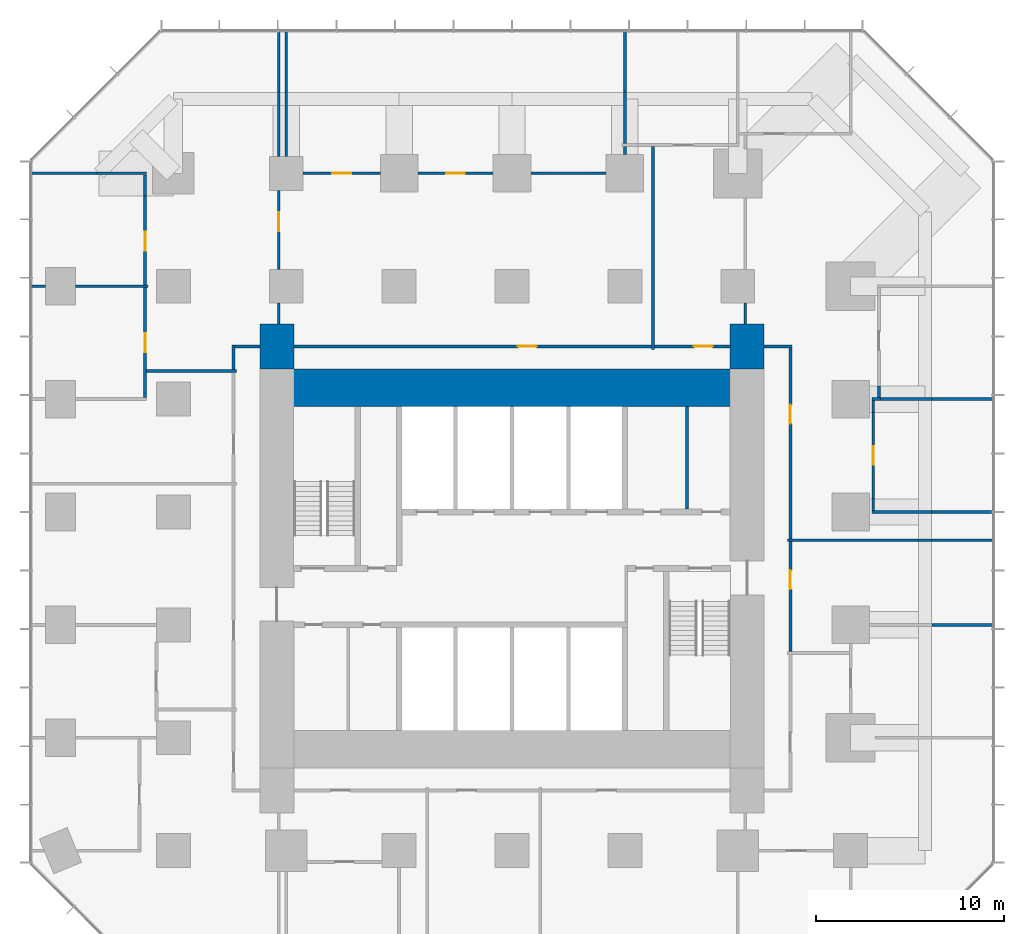
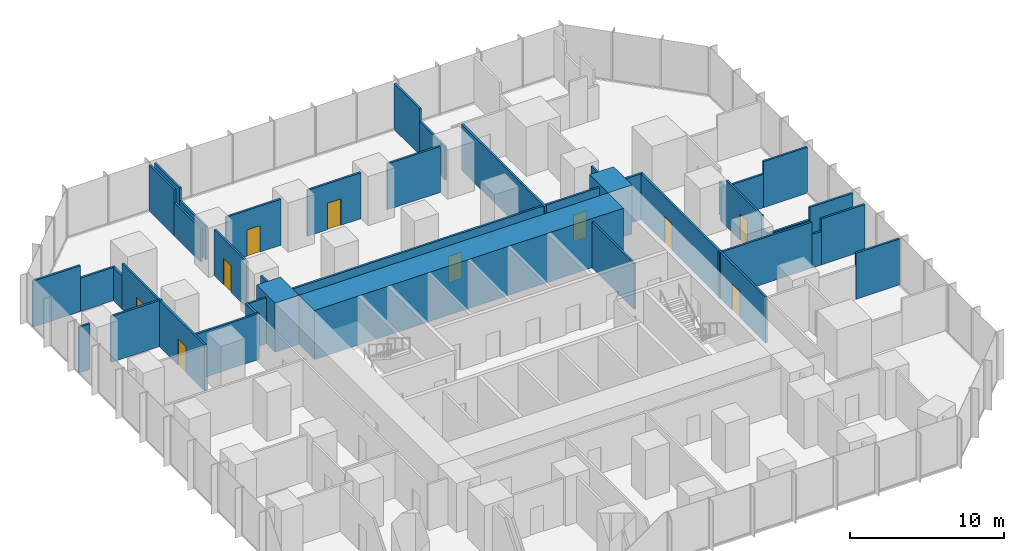
# One storey, part 10 of 12: 46 walls, 10 doors, 10 openings.
"""IFC4 building model written with IfcOpenShell, lengths in metres."""

from ifc_helpers import new_model, si_unit, direction, frame, frame_2d, origin, place, context, subcontext, project, spatial, rectangle, extrude, material, layer, layer_set, type_object, element, fill, save


model = new_model("IFC4")

# Units and contexts
model_context = context("Model", 3, precision=1e-05, world=origin(), true_north=direction((0.0, 1.0)))
body_context = subcontext(model_context, "Body", "Model", "MODEL_VIEW")
ifc_project = project(units=[si_unit("LENGTHUNIT", "METRE"), si_unit("AREAUNIT", "SQUARE_METRE"), si_unit("VOLUMEUNIT", "CUBIC_METRE"), si_unit("PLANEANGLEUNIT", "RADIAN"), si_unit("MASSUNIT", "GRAM", prefix="KILO")], contexts=[model_context])

# Site, building, storey
site_placement = place(None, origin())
site = spatial("IfcSite", under=ifc_project, at=site_placement, CompositionType="ELEMENT")
building_placement = place(site_placement, origin())
building = spatial("IfcBuilding", under=site, at=building_placement, Name="Highveld Stack Headquarters", CompositionType="ELEMENT")
storey_placement = place(building_placement, frame((0.0, 0.0, 72.800048828125)))
storey = spatial("IfcBuildingStorey", under=building, at=storey_placement, Name="L17", CompositionType="ELEMENT", Elevation=72.800048828125)

# Walls
ifc_material_1 = material(Name="Concrete C60/75", Category="concrete")
ifc_layer_1 = layer(ifc_material_1, 2.0)
ifc_layer_set_1 = layer_set([ifc_layer_1], Name="Concrete C60/75")
wall_type_1 = type_object("IfcWallType", Name="CORE WALL 2000 C60/75", PredefinedType="SHEAR", material=ifc_layer_set_1)
wall_1_placement = place(storey_placement, frame((-5.60009765625, 12.60009765625, 0.0), z_axis=(0.0, 0.0, 1.0), x_axis=(1.0, 0.0, 0.0)))
element("IfcWall", 1, at=wall_1_placement, inside=storey, type_object=wall_type_1, Name="Core wall N L17", PredefinedType="SHEAR", context=body_context, shape_type="SweptSolid", body=[
    extrude(rectangle(XDim=23.2001953125, YDim=2.0, at=frame_2d((11.60009765625, 0.0))), origin(), (0.0, 0.0, 1.0), 3.89990234375),
])
ifc_material_2 = material(Name="Concrete C60/75", Category="concrete")
ifc_layer_2 = layer(ifc_material_2, 1.800048828125)
ifc_layer_set_2 = layer_set([ifc_layer_2], Name="Concrete C60/75")
wall_type_2 = type_object("IfcWallType", Name="CORE WING WALL 1800 C60/75", PredefinedType="SHEAR", material=ifc_layer_set_2)
for number, where, z_axis, x_axis, name in (
    (2, (-6.5, 13.60009765625, 0.0), (0.0, 0.0, 1.0), (0.0, 1.0, 0.0), "Core wing wall WN L17"),
    (3, (18.5, 13.60009765625, 0.0), (0.0, 0.0, 1.0), (0.0, 1.0, 0.0), "Core wing wall EN L17"),
):
    element("IfcWall", number, at=place(storey_placement, frame(where, z_axis=z_axis, x_axis=x_axis)), inside=storey, type_object=wall_type_2, Name=name, PredefinedType="SHEAR", context=body_context, shape_type="SweptSolid", body=[
        extrude(rectangle(XDim=2.39990234375, YDim=1.800048828125, at=frame_2d((1.199951171875, 0.0))), origin(), (0.0, 0.0, 1.0), 3.89990234375),
    ])

# Wall, opening, door
ifc_material_3 = material(Name="Laminated glass in aluminium frame", Category="aluminium")
ifc_layer_3 = layer(ifc_material_3, 0.14990234375)
ifc_layer_set_3 = layer_set([ifc_layer_3], Name="Laminated glass in aluminium frame")
wall_type_3 = type_object("IfcWallType", Name="GLAZED PARTITION 150", PredefinedType="PARTITIONING", material=ifc_layer_set_3)
wall_2_placement = place(storey_placement, frame((-5.10009765625, 24.0, 0.0), z_axis=(0.0, 0.0, 1.0), x_axis=(1.0, 0.0, 0.0)))
wall_2 = element("IfcWall", 4, at=wall_2_placement, inside=storey, type_object=wall_type_3, Name="Glazed partition Project office L17", PredefinedType="PARTITIONING", context=body_context, shape_type="SweptSolid", body=[
    extrude(rectangle(XDim=4.10009765625, YDim=0.14990234375, at=frame_2d((2.050048828125, 0.0))), origin(), (0.0, 0.0, 1.0), 3.64990234375),
])
opening_1_placement = place(wall_2_placement, frame((1.550048828125, 0.0, 0.0)))
opening_1 = element("IfcOpeningElement", 5, at=opening_1_placement, cuts=wall_2, Name="Opening L17-20", PredefinedType="OPENING", context=body_context, shape_type="SweptSolid", body=[
    extrude(rectangle(XDim=1.0, YDim=2.10009765625, at=frame_2d((0.5, 1.050048828125))), frame((0.0, 0.0849609375, 0.0), z_axis=(0.0, -1.0, 0.0), x_axis=(1.0, 0.0, 0.0)), (0.0, 0.0, 1.0), 0.169921875),
])
ifc_material_4 = material(Name="Timber door, oiled ash", Category="wood")
door_type = type_object("IfcDoorType", Name="ROOM DOOR D6 1000x2100", OperationType="SINGLE_SWING_LEFT", PredefinedType="DOOR", material=ifc_material_4)
door_1_placement = place(opening_1_placement, origin())
door_1 = element("IfcDoor", 6, at=door_1_placement, inside=storey, type_object=door_type, Name="Project office door 1 L17", OperationType="SINGLE_SWING_LEFT", OverallHeight=2.10009765625, OverallWidth=1.0, PredefinedType="DOOR", context=body_context, shape_type="SweptSolid", body=[
    extrude(rectangle(XDim=1.0, YDim=2.10009765625, at=frame_2d((0.5, 1.050048828125))), frame((0.0, 0.02490234375, 0.0), z_axis=(0.0, -1.0, 0.0), x_axis=(1.0, 0.0, 0.0)), (0.0, 0.0, 1.0), 0.050048828125),
])
fill(opening_1, door_1)

wall_3_placement = place(storey_placement, frame((1.0, 24.0, 0.0), z_axis=(0.0, 0.0, 1.0), x_axis=(1.0, 0.0, 0.0)))
wall_3 = element("IfcWall", 7, at=wall_3_placement, inside=storey, type_object=wall_type_3, Name="Glazed partition Project office L17", PredefinedType="PARTITIONING", context=body_context, shape_type="SweptSolid", body=[
    extrude(rectangle(XDim=4.0, YDim=0.14990234375, at=frame_2d((2.0, 0.0))), origin(), (0.0, 0.0, 1.0), 3.64990234375),
])
opening_2_placement = place(wall_3_placement, frame((1.5, 0.0, 0.0)))
opening_2 = element("IfcOpeningElement", 8, at=opening_2_placement, cuts=wall_3, Name="Opening L17-21", PredefinedType="OPENING", context=body_context, shape_type="SweptSolid", body=[
    extrude(rectangle(XDim=1.0, YDim=2.10009765625, at=frame_2d((0.5, 1.050048828125))), frame((0.0, 0.0849609375, 0.0), z_axis=(0.0, -1.0, 0.0), x_axis=(1.0, 0.0, 0.0)), (0.0, 0.0, 1.0), 0.169921875),
])
door_2_placement = place(opening_2_placement, origin())
door_2 = element("IfcDoor", 9, at=door_2_placement, inside=storey, type_object=door_type, Name="Project office door 2 L17", OperationType="SINGLE_SWING_LEFT", OverallHeight=2.10009765625, OverallWidth=1.0, PredefinedType="DOOR", context=body_context, shape_type="SweptSolid", body=[
    extrude(rectangle(XDim=1.0, YDim=2.10009765625, at=frame_2d((0.5, 1.050048828125))), frame((0.0, 0.02490234375, 0.0), z_axis=(0.0, -1.0, 0.0), x_axis=(1.0, 0.0, 0.0)), (0.0, 0.0, 1.0), 0.050048828125),
])
fill(opening_2, door_2)

# Walls
wall_4_placement = place(storey_placement, frame((7.0, 24.0, 0.0), z_axis=(0.0, 0.0, 1.0), x_axis=(1.0, 0.0, 0.0)))
element("IfcWall", 10, at=wall_4_placement, inside=storey, type_object=wall_type_3, Name="Glazed partition Project office L17", PredefinedType="PARTITIONING", context=body_context, shape_type="SweptSolid", body=[
    extrude(rectangle(XDim=4.0, YDim=0.14990234375, at=frame_2d((2.0, 0.0))), origin(), (0.0, 0.0, 1.0), 3.64990234375),
])
ifc_material_5 = material(Name="Gypsum plasterboard on steel studs", Category="steel")
ifc_layer_4 = layer(ifc_material_5, 0.14990234375)
ifc_layer_set_4 = layer_set([ifc_layer_4], Name="Gypsum plasterboard on steel studs")
wall_type_4 = type_object("IfcWallType", Name="PARTITION 150 PLASTERBOARD", PredefinedType="PARTITIONING", material=ifc_layer_set_4)
wall_5_placement = place(storey_placement, frame((28.31005859375, 0.0, 0.0), z_axis=(0.0, 0.0, 1.0), x_axis=(1.0, 0.0, 0.0)))
element("IfcWall", 11, at=wall_5_placement, inside=storey, type_object=wall_type_4, Name="Partition Meeting room L17", PredefinedType="PARTITIONING", context=body_context, shape_type="SweptSolid", body=[
    extrude(rectangle(XDim=3.2900390625, YDim=0.14990234375, at=frame_2d((1.64501953125, 0.0))), origin(), (0.0, 0.0, 1.0), 3.64990234375),
])
wall_6_placement = place(storey_placement, frame((25.125, 6.0, 0.0), z_axis=(0.0, 0.0, 1.0), x_axis=(1.0, 0.0, 0.0)))
element("IfcWall", 12, at=wall_6_placement, inside=storey, type_object=wall_type_4, Name="Partition Tea kitchen L17", PredefinedType="PARTITIONING", context=body_context, shape_type="SweptSolid", body=[
    extrude(rectangle(XDim=3.18505859375, YDim=0.14990234375, at=frame_2d((1.592529296875, 0.0))), origin(), (0.0, 0.0, 1.0), 2.64990234375),
])
wall_7_placement = place(storey_placement, frame((28.31005859375, 6.0, 0.0), z_axis=(0.0, 0.0, 1.0), x_axis=(1.0, 0.0, 0.0)))
element("IfcWall", 13, at=wall_7_placement, inside=storey, type_object=wall_type_4, Name="Partition Tea kitchen L17", PredefinedType="PARTITIONING", context=body_context, shape_type="SweptSolid", body=[
    extrude(rectangle(XDim=3.239990234375, YDim=0.14990234375, at=frame_2d((1.6201171875, 0.0))), origin(), (0.0, 0.0, 1.0), 3.64990234375),
])
wall_8_placement = place(storey_placement, frame((25.125, 12.0, 0.0), z_axis=(0.0, 0.0, 1.0), x_axis=(1.0, 0.0, 0.0)))
element("IfcWall", 14, at=wall_8_placement, inside=storey, type_object=wall_type_4, Name="Partition Tea kitchen L17", PredefinedType="PARTITIONING", context=body_context, shape_type="SweptSolid", body=[
    extrude(rectangle(XDim=0.449951171875, YDim=0.14990234375, at=frame_2d((0.22509765625, 0.0))), origin(), (0.0, 0.0, 1.0), 2.64990234375),
])
wall_9_placement = place(storey_placement, frame((25.5, 12.0, 0.0), z_axis=(0.0, 0.0, 1.0), x_axis=(1.0, 0.0, 0.0)))
element("IfcWall", 15, at=wall_9_placement, inside=storey, type_object=wall_type_4, Name="Partition Quiet room / Tea kitchen L17", PredefinedType="PARTITIONING", context=body_context, shape_type="SweptSolid", body=[
    extrude(rectangle(XDim=2.81005859375, YDim=0.14990234375, at=frame_2d((1.405029296875, 0.0))), origin(), (0.0, 0.0, 1.0), 2.64990234375),
])
wall_10_placement = place(storey_placement, frame((28.31005859375, 12.0, 0.0), z_axis=(0.0, 0.0, 1.0), x_axis=(1.0, 0.0, 0.0)))
element("IfcWall", 16, at=wall_10_placement, inside=storey, type_object=wall_type_4, Name="Partition Quiet room / Tea kitchen L17", PredefinedType="PARTITIONING", context=body_context, shape_type="SweptSolid", body=[
    extrude(rectangle(XDim=3.2900390625, YDim=0.14990234375, at=frame_2d((1.64501953125, 0.0))), origin(), (0.0, 0.0, 1.0), 3.64990234375),
])
wall_11_placement = place(storey_placement, frame((-19.60009765625, 18.0, 0.0), z_axis=(0.0, 0.0, 1.0), x_axis=(1.0, 0.0, 0.0)))
element("IfcWall", 17, at=wall_11_placement, inside=storey, type_object=wall_type_4, Name="Partition Quiet room L17", PredefinedType="PARTITIONING", context=body_context, shape_type="SweptSolid", body=[
    extrude(rectangle(XDim=0.800048828125, YDim=0.14990234375, at=frame_2d((0.39990234375, 0.0))), origin(), (0.0, 0.0, 1.0), 3.64990234375),
])
wall_12_placement = place(storey_placement, frame((-17.199951171875, 18.0, 0.0), z_axis=(0.0, 0.0, 1.0), x_axis=(1.0, 0.0, 0.0)))
element("IfcWall", 18, at=wall_12_placement, inside=storey, type_object=wall_type_4, Name="Partition Quiet room L17", PredefinedType="PARTITIONING", context=body_context, shape_type="SweptSolid", body=[
    extrude(rectangle(XDim=3.849853515625, YDim=0.14990234375, at=frame_2d((1.9248046875, 0.0))), origin(), (0.0, 0.0, 1.0), 3.64990234375),
])
wall_13_placement = place(storey_placement, frame((-19.60009765625, 24.0, 0.0), z_axis=(0.0, 0.0, 1.0), x_axis=(1.0, 0.0, 0.0)))
element("IfcWall", 19, at=wall_13_placement, inside=storey, type_object=wall_type_4, Name="Partition Quiet room L17", PredefinedType="PARTITIONING", context=body_context, shape_type="SweptSolid", body=[
    extrude(rectangle(XDim=3.55517578125, YDim=0.14990234375, at=frame_2d((1.777587890625, 0.0))), origin(), (0.0, 0.0, 1.0), 3.64990234375),
])
wall_14_placement = place(storey_placement, frame((-16.044921875, 24.0, 0.0), z_axis=(0.0, 0.0, 1.0), x_axis=(1.0, 0.0, 0.0)))
element("IfcWall", 20, at=wall_14_placement, inside=storey, type_object=wall_type_4, Name="Partition Quiet room L17", PredefinedType="PARTITIONING", context=body_context, shape_type="SweptSolid", body=[
    extrude(rectangle(XDim=2.619873046875, YDim=0.14990234375, at=frame_2d((1.31005859375, 0.0))), origin(), (0.0, 0.0, 1.0), 2.64990234375),
])

# Wall, opening, door
wall_15_placement = place(storey_placement, frame((-13.5, 12.074951171875, 0.0), z_axis=(0.0, 0.0, 1.0), x_axis=(0.0, 1.0, 0.0)))
wall_15 = element("IfcWall", 21, at=wall_15_placement, inside=storey, type_object=wall_type_4, Name="Partition Quiet room L17", PredefinedType="PARTITIONING", context=body_context, shape_type="SweptSolid", body=[
    extrude(rectangle(XDim=5.85009765625, YDim=0.14990234375, at=frame_2d((2.925048828125, 0.0))), origin(), (0.0, 0.0, 1.0), 3.64990234375),
])
opening_3_placement = place(wall_15_placement, frame((2.425048828125, 0.0, 0.0)))
opening_3 = element("IfcOpeningElement", 22, at=opening_3_placement, cuts=wall_15, Name="Opening L17-15", PredefinedType="OPENING", context=body_context, shape_type="SweptSolid", body=[
    extrude(rectangle(XDim=1.0, YDim=2.10009765625, at=frame_2d((0.5, 1.050048828125))), frame((0.0, 0.0849609375, 0.0), z_axis=(0.0, -1.0, 0.0), x_axis=(1.0, 0.0, 0.0)), (0.0, 0.0, 1.0), 0.169921875),
])
door_3_placement = place(opening_3_placement, origin())
door_3 = element("IfcDoor", 23, at=door_3_placement, inside=storey, type_object=door_type, Name="Quiet room door 1 L17", OperationType="SINGLE_SWING_LEFT", OverallHeight=2.10009765625, OverallWidth=1.0, PredefinedType="DOOR", context=body_context, shape_type="SweptSolid", body=[
    extrude(rectangle(XDim=1.0, YDim=2.10009765625, at=frame_2d((0.5, 1.050048828125))), frame((0.0, 0.02490234375, 0.0), z_axis=(0.0, -1.0, 0.0), x_axis=(1.0, 0.0, 0.0)), (0.0, 0.0, 1.0), 0.050048828125),
])
fill(opening_3, door_3)

wall_16_placement = place(storey_placement, frame((-13.5, 18.074951171875, 0.0), z_axis=(0.0, 0.0, 1.0), x_axis=(0.0, 1.0, 0.0)))
wall_16 = element("IfcWall", 24, at=wall_16_placement, inside=storey, type_object=wall_type_4, Name="Partition Quiet room L17", PredefinedType="PARTITIONING", context=body_context, shape_type="SweptSolid", body=[
    extrude(rectangle(XDim=4.715087890625, YDim=0.14990234375, at=frame_2d((2.357421875, 0.0))), origin(), (0.0, 0.0, 1.0), 3.64990234375),
])
opening_4_placement = place(wall_16_placement, frame((1.820068359375, 0.0, 0.0)))
opening_4 = element("IfcOpeningElement", 25, at=opening_4_placement, cuts=wall_16, Name="Opening L17-16", PredefinedType="OPENING", context=body_context, shape_type="SweptSolid", body=[
    extrude(rectangle(XDim=1.0, YDim=2.10009765625, at=frame_2d((0.5, 1.050048828125))), frame((0.0, 0.0849609375, 0.0), z_axis=(0.0, -1.0, 0.0), x_axis=(1.0, 0.0, 0.0)), (0.0, 0.0, 1.0), 0.169921875),
])
door_4_placement = place(opening_4_placement, origin())
door_4 = element("IfcDoor", 26, at=door_4_placement, inside=storey, type_object=door_type, Name="Quiet room door 1 L17", OperationType="SINGLE_SWING_LEFT", OverallHeight=2.10009765625, OverallWidth=1.0, PredefinedType="DOOR", context=body_context, shape_type="SweptSolid", body=[
    extrude(rectangle(XDim=1.0, YDim=2.10009765625, at=frame_2d((0.5, 1.050048828125))), frame((0.0, 0.02490234375, 0.0), z_axis=(0.0, -1.0, 0.0), x_axis=(1.0, 0.0, 0.0)), (0.0, 0.0, 1.0), 0.050048828125),
])
fill(opening_4, door_4)

# Walls
wall_17_placement = place(storey_placement, frame((-13.5, 22.7900390625, 0.0), z_axis=(0.0, 0.0, 1.0), x_axis=(0.0, 1.0, 0.0)))
element("IfcWall", 27, at=wall_17_placement, inside=storey, type_object=wall_type_4, Name="Partition Quiet room L17", PredefinedType="PARTITIONING", context=body_context, shape_type="SweptSolid", body=[
    extrude(rectangle(XDim=1.135009765625, YDim=0.14990234375, at=frame_2d((0.5673828125, 0.0))), origin(), (0.0, 0.0, 1.0), 2.64990234375),
])
wall_18_placement = place(storey_placement, frame((-6.0, 24.89990234375, 0.0), z_axis=(0.0, 0.0, 1.0), x_axis=(0.0, 1.0, 0.0)))
element("IfcWall", 28, at=wall_18_placement, inside=storey, type_object=wall_type_4, Name="Partition Project office L17", PredefinedType="PARTITIONING", context=body_context, shape_type="SweptSolid", body=[
    extrude(rectangle(XDim=3.41015625, YDim=0.14990234375, at=frame_2d((1.705078125, 0.0))), origin(), (0.0, 0.0, 1.0), 2.64990234375),
])
wall_19_placement = place(storey_placement, frame((-6.0, 28.31005859375, 0.0), z_axis=(0.0, 0.0, 1.0), x_axis=(0.0, 1.0, 0.0)))
element("IfcWall", 29, at=wall_19_placement, inside=storey, type_object=wall_type_4, Name="Partition Project office L17", PredefinedType="PARTITIONING", context=body_context, shape_type="SweptSolid", body=[
    extrude(rectangle(XDim=3.2900390625, YDim=0.14990234375, at=frame_2d((1.64501953125, 0.0))), origin(), (0.0, 0.0, 1.0), 3.64990234375),
])
wall_20_placement = place(storey_placement, frame((12.0, 25.0, 0.0), z_axis=(0.0, 0.0, 1.0), x_axis=(0.0, 1.0, 0.0)))
element("IfcWall", 30, at=wall_20_placement, inside=storey, type_object=wall_type_4, Name="Partition Project office L17", PredefinedType="PARTITIONING", context=body_context, shape_type="SweptSolid", body=[
    extrude(rectangle(XDim=0.425048828125, YDim=0.14990234375, at=frame_2d((0.21240234375, 0.0))), origin(), (0.0, 0.0, 1.0), 2.64990234375),
])
wall_21_placement = place(storey_placement, frame((12.0, 25.574951171875, 0.0), z_axis=(0.0, 0.0, 1.0), x_axis=(0.0, 1.0, 0.0)))
element("IfcWall", 31, at=wall_21_placement, inside=storey, type_object=wall_type_4, Name="Partition Project office / Quiet room L17", PredefinedType="PARTITIONING", context=body_context, shape_type="SweptSolid", body=[
    extrude(rectangle(XDim=2.735107421875, YDim=0.14990234375, at=frame_2d((1.36767578125, 0.0))), origin(), (0.0, 0.0, 1.0), 2.64990234375),
])
wall_22_placement = place(storey_placement, frame((12.0, 28.31005859375, 0.0), z_axis=(0.0, 0.0, 1.0), x_axis=(0.0, 1.0, 0.0)))
element("IfcWall", 32, at=wall_22_placement, inside=storey, type_object=wall_type_4, Name="Partition Project office / Quiet room L17", PredefinedType="PARTITIONING", context=body_context, shape_type="SweptSolid", body=[
    extrude(rectangle(XDim=3.2900390625, YDim=0.14990234375, at=frame_2d((1.64501953125, 0.0))), origin(), (0.0, 0.0, 1.0), 3.64990234375),
])
wall_23_placement = place(storey_placement, frame((25.199951171875, 6.074951171875, 0.0), z_axis=(0.0, 0.0, 1.0), x_axis=(0.0, 1.0, 0.0)))
element("IfcWall", 33, at=wall_23_placement, inside=storey, type_object=wall_type_4, Name="Partition Tea kitchen L17", PredefinedType="PARTITIONING", context=body_context, shape_type="SweptSolid", body=[
    extrude(rectangle(XDim=0.635009765625, YDim=0.14990234375, at=frame_2d((0.3173828125, 0.0))), origin(), (0.0, 0.0, 1.0), 2.64990234375),
])

# Wall, opening, door
wall_24_placement = place(storey_placement, frame((25.199951171875, 6.7099609375, 0.0), z_axis=(0.0, 0.0, 1.0), x_axis=(0.0, 1.0, 0.0)))
wall_24 = element("IfcWall", 34, at=wall_24_placement, inside=storey, type_object=wall_type_4, Name="Partition Tea kitchen L17", PredefinedType="PARTITIONING", context=body_context, shape_type="SweptSolid", body=[
    extrude(rectangle(XDim=4.580078125, YDim=0.14990234375, at=frame_2d((2.2900390625, 0.0))), origin(), (0.0, 0.0, 1.0), 3.64990234375),
])
opening_5_placement = place(wall_24_placement, frame((1.7900390625, 0.0, 0.0)))
opening_5 = element("IfcOpeningElement", 35, at=opening_5_placement, cuts=wall_24, Name="Opening L17-18", PredefinedType="OPENING", context=body_context, shape_type="SweptSolid", body=[
    extrude(rectangle(XDim=1.0, YDim=2.10009765625, at=frame_2d((0.5, 1.050048828125))), frame((0.0, 0.0849609375, 0.0), z_axis=(0.0, -1.0, 0.0), x_axis=(1.0, 0.0, 0.0)), (0.0, 0.0, 1.0), 0.169921875),
])
door_5_placement = place(opening_5_placement, origin())
door_5 = element("IfcDoor", 36, at=door_5_placement, inside=storey, type_object=door_type, Name="Tea kitchen door 1 L17", OperationType="SINGLE_SWING_LEFT", OverallHeight=2.10009765625, OverallWidth=1.0, PredefinedType="DOOR", context=body_context, shape_type="SweptSolid", body=[
    extrude(rectangle(XDim=1.0, YDim=2.10009765625, at=frame_2d((0.5, 1.050048828125))), frame((0.0, 0.02490234375, 0.0), z_axis=(0.0, -1.0, 0.0), x_axis=(1.0, 0.0, 0.0)), (0.0, 0.0, 1.0), 0.050048828125),
])
fill(opening_5, door_5)

# Walls
for number, where, z_axis, x_axis, name in (
    (37, (25.199951171875, 11.2900390625, 0.0), (0.0, 0.0, 1.0), (0.0, 1.0, 0.0), "Partition Tea kitchen L17"),
    (38, (25.5, 12.074951171875, 0.0), (0.0, 0.0, 1.0), (0.0, 1.0, 0.0), "Partition Quiet room L17"),
):
    element("IfcWall", number, at=place(storey_placement, frame(where, z_axis=z_axis, x_axis=x_axis)), inside=storey, type_object=wall_type_4, Name=name, PredefinedType="PARTITIONING", context=body_context, shape_type="SweptSolid", body=[
        extrude(rectangle(XDim=0.635009765625, YDim=0.14990234375, at=frame_2d((0.3173828125, 0.0))), origin(), (0.0, 0.0, 1.0), 2.64990234375),
    ])
wall_25_placement = place(storey_placement, frame((-13.425048828125, 13.5, 0.0), z_axis=(0.0, 0.0, 1.0), x_axis=(1.0, 0.0, 0.0)))
element("IfcWall", 39, at=wall_25_placement, inside=storey, type_object=wall_type_4, Name="Partition office neighbourhood L17", PredefinedType="PARTITIONING", context=body_context, shape_type="SweptSolid", body=[
    extrude(rectangle(XDim=4.775146484375, YDim=0.14990234375, at=frame_2d((2.3876953125, 0.0))), origin(), (0.0, 0.0, 1.0), 3.64990234375),
])
wall_26_placement = place(storey_placement, frame((-8.800048828125, 13.574951171875, 0.0), z_axis=(0.0, 0.0, 1.0), x_axis=(0.0, 1.0, 0.0)))
element("IfcWall", 40, at=wall_26_placement, inside=storey, type_object=wall_type_4, Name="Partition office neighbourhood L17", PredefinedType="PARTITIONING", context=body_context, shape_type="SweptSolid", body=[
    extrude(rectangle(XDim=1.300048828125, YDim=0.14990234375, at=frame_2d((0.64990234375, 0.0))), origin(), (0.0, 0.0, 1.0), 3.64990234375),
])
wall_27_placement = place(storey_placement, frame((-8.72509765625, 14.800048828125, 0.0), z_axis=(0.0, 0.0, 1.0), x_axis=(1.0, 0.0, 0.0)))
element("IfcWall", 41, at=wall_27_placement, inside=storey, type_object=wall_type_4, Name="Partition office neighbourhood L17", PredefinedType="PARTITIONING", context=body_context, shape_type="SweptSolid", body=[
    extrude(rectangle(XDim=1.3251953125, YDim=0.14990234375, at=frame_2d((0.66259765625, 0.0))), origin(), (0.0, 0.0, 1.0), 3.64990234375),
])
wall_28_placement = place(storey_placement, frame((-6.39990234375, 16.0, 0.0), z_axis=(0.0, 0.0, 1.0), x_axis=(0.0, 1.0, 0.0)))
element("IfcWall", 42, at=wall_28_placement, inside=storey, type_object=wall_type_4, Name="Partition office neighbourhood L17", PredefinedType="PARTITIONING", context=body_context, shape_type="SweptSolid", body=[
    extrude(rectangle(XDim=1.10009765625, YDim=0.14990234375, at=frame_2d((0.550048828125, 0.0))), origin(), (0.0, 0.0, 1.0), 3.64990234375),
])

# Wall, opening, door
wall_29_placement = place(storey_placement, frame((-6.39990234375, 18.89990234375, 0.0), z_axis=(0.0, 0.0, 1.0), x_axis=(0.0, 1.0, 0.0)))
wall_29 = element("IfcWall", 43, at=wall_29_placement, inside=storey, type_object=wall_type_4, Name="Partition office neighbourhood L17", PredefinedType="PARTITIONING", context=body_context, shape_type="SweptSolid", body=[
    extrude(rectangle(XDim=4.2001953125, YDim=0.14990234375, at=frame_2d((2.10009765625, 0.0))), origin(), (0.0, 0.0, 1.0), 3.64990234375),
])
opening_6_placement = place(wall_29_placement, frame((2.02490234375, 0.0, 0.0)))
opening_6 = element("IfcOpeningElement", 44, at=opening_6_placement, cuts=wall_29, Name="Opening L17-35", PredefinedType="OPENING", context=body_context, shape_type="SweptSolid", body=[
    extrude(rectangle(XDim=1.0, YDim=2.10009765625, at=frame_2d((0.5, 1.050048828125))), frame((0.0, 0.0849609375, 0.0), z_axis=(0.0, -1.0, 0.0), x_axis=(1.0, 0.0, 0.0)), (0.0, 0.0, 1.0), 0.169921875),
])
door_6_placement = place(opening_6_placement, origin())
door_6 = element("IfcDoor", 45, at=door_6_placement, inside=storey, type_object=door_type, Name="Office neighbourhood door L17", OperationType="SINGLE_SWING_RIGHT", OverallHeight=2.10009765625, OverallWidth=1.0, PredefinedType="DOOR", context=body_context, shape_type="SweptSolid", body=[
    extrude(rectangle(XDim=1.0, YDim=2.10009765625, at=frame_2d((0.5, 1.050048828125))), frame((0.0, 0.02490234375, 0.0), z_axis=(0.0, -1.0, 0.0), x_axis=(1.0, 0.0, 0.0)), (0.0, 0.0, 1.0), 0.050048828125),
])
fill(opening_6, door_6)

# Walls
wall_30_placement = place(storey_placement, frame((-6.39990234375, 24.89990234375, 0.0), z_axis=(0.0, 0.0, 1.0), x_axis=(0.0, 1.0, 0.0)))
element("IfcWall", 46, at=wall_30_placement, inside=storey, type_object=wall_type_4, Name="Partition office neighbourhood L17", PredefinedType="PARTITIONING", context=body_context, shape_type="SweptSolid", body=[
    extrude(rectangle(XDim=3.41015625, YDim=0.14990234375, at=frame_2d((1.705078125, 0.0))), origin(), (0.0, 0.0, 1.0), 2.64990234375),
])
wall_31_placement = place(storey_placement, frame((-6.39990234375, 28.31005859375, 0.0), z_axis=(0.0, 0.0, 1.0), x_axis=(0.0, 1.0, 0.0)))
element("IfcWall", 47, at=wall_31_placement, inside=storey, type_object=wall_type_4, Name="Partition office neighbourhood L17", PredefinedType="PARTITIONING", context=body_context, shape_type="SweptSolid", body=[
    extrude(rectangle(XDim=3.239990234375, YDim=0.14990234375, at=frame_2d((1.6201171875, 0.0))), origin(), (0.0, 0.0, 1.0), 3.64990234375),
])

# Wall, opening, door
wall_32_placement = place(storey_placement, frame((-5.60009765625, 14.800048828125, 0.0), z_axis=(0.0, 0.0, 1.0), x_axis=(1.0, 0.0, 0.0)))
wall_32 = element("IfcWall", 48, at=wall_32_placement, inside=storey, type_object=wall_type_4, Name="Partition office neighbourhood L17", PredefinedType="PARTITIONING", context=body_context, shape_type="SweptSolid", body=[
    extrude(rectangle(XDim=19.025146484375, YDim=0.14990234375, at=frame_2d((9.5126953125, 0.0))), origin(), (0.0, 0.0, 1.0), 3.64990234375),
])
opening_7_placement = place(wall_32_placement, frame((11.9150390625, 0.0, 0.0)))
opening_7 = element("IfcOpeningElement", 49, at=opening_7_placement, cuts=wall_32, Name="Opening L17-33", PredefinedType="OPENING", context=body_context, shape_type="SweptSolid", body=[
    extrude(rectangle(XDim=1.0, YDim=2.10009765625, at=frame_2d((0.5, 1.050048828125))), frame((0.0, 0.0849609375, 0.0), z_axis=(0.0, -1.0, 0.0), x_axis=(1.0, 0.0, 0.0)), (0.0, 0.0, 1.0), 0.169921875),
])
door_7_placement = place(opening_7_placement, origin())
door_7 = element("IfcDoor", 50, at=door_7_placement, inside=storey, type_object=door_type, Name="Office neighbourhood door L17", OperationType="SINGLE_SWING_RIGHT", OverallHeight=2.10009765625, OverallWidth=1.0, PredefinedType="DOOR", context=body_context, shape_type="SweptSolid", body=[
    extrude(rectangle(XDim=1.0, YDim=2.10009765625, at=frame_2d((0.5, 1.050048828125))), frame((0.0, 0.02490234375, 0.0), z_axis=(0.0, -1.0, 0.0), x_axis=(1.0, 0.0, 0.0)), (0.0, 0.0, 1.0), 0.050048828125),
])
fill(opening_7, door_7)

# Wall
wall_33_placement = place(storey_placement, frame((13.5, 14.64990234375, 0.0), z_axis=(0.0, 0.0, 1.0), x_axis=(0.0, 1.0, 0.0)))
element("IfcWall", 51, at=wall_33_placement, inside=storey, type_object=wall_type_4, Name="Partition office neighbourhood L17", PredefinedType="PARTITIONING", context=body_context, shape_type="SweptSolid", body=[
    extrude(rectangle(XDim=10.775146484375, YDim=0.14990234375, at=frame_2d((5.3876953125, 0.0))), origin(), (0.0, 0.0, 1.0), 3.64990234375),
])

# Wall, opening, door
wall_34_placement = place(storey_placement, frame((13.574951171875, 14.800048828125, 0.0), z_axis=(0.0, 0.0, 1.0), x_axis=(1.0, 0.0, 0.0)))
wall_34 = element("IfcWall", 52, at=wall_34_placement, inside=storey, type_object=wall_type_4, Name="Partition office neighbourhood L17", PredefinedType="PARTITIONING", context=body_context, shape_type="SweptSolid", body=[
    extrude(rectangle(XDim=4.025146484375, YDim=0.14990234375, at=frame_2d((2.0126953125, 0.0))), origin(), (0.0, 0.0, 1.0), 3.64990234375),
])
opening_8_placement = place(wall_34_placement, frame((2.090087890625, 0.0, 0.0)))
opening_8 = element("IfcOpeningElement", 53, at=opening_8_placement, cuts=wall_34, Name="Opening L17-34", PredefinedType="OPENING", context=body_context, shape_type="SweptSolid", body=[
    extrude(rectangle(XDim=1.0, YDim=2.10009765625, at=frame_2d((0.5, 1.050048828125))), frame((0.0, 0.0849609375, 0.0), z_axis=(0.0, -1.0, 0.0), x_axis=(1.0, 0.0, 0.0)), (0.0, 0.0, 1.0), 0.169921875),
])
door_8_placement = place(opening_8_placement, origin())
door_8 = element("IfcDoor", 54, at=door_8_placement, inside=storey, type_object=door_type, Name="Office neighbourhood door L17", OperationType="SINGLE_SWING_RIGHT", OverallHeight=2.10009765625, OverallWidth=1.0, PredefinedType="DOOR", context=body_context, shape_type="SweptSolid", body=[
    extrude(rectangle(XDim=1.0, YDim=2.10009765625, at=frame_2d((0.5, 1.050048828125))), frame((0.0, 0.02490234375, 0.0), z_axis=(0.0, -1.0, 0.0), x_axis=(1.0, 0.0, 0.0)), (0.0, 0.0, 1.0), 0.050048828125),
])
fill(opening_8, door_8)

# Walls
wall_35_placement = place(storey_placement, frame((18.39990234375, 16.0, 0.0), z_axis=(0.0, 0.0, 1.0), x_axis=(0.0, 1.0, 0.0)))
element("IfcWall", 55, at=wall_35_placement, inside=storey, type_object=wall_type_4, Name="Partition office neighbourhood L17", PredefinedType="PARTITIONING", context=body_context, shape_type="SweptSolid", body=[
    extrude(rectangle(XDim=1.10009765625, YDim=0.14990234375, at=frame_2d((0.550048828125, 0.0))), origin(), (0.0, 0.0, 1.0), 3.64990234375),
])
wall_36_placement = place(storey_placement, frame((19.39990234375, 14.800048828125, 0.0), z_axis=(0.0, 0.0, 1.0), x_axis=(1.0, 0.0, 0.0)))
element("IfcWall", 56, at=wall_36_placement, inside=storey, type_object=wall_type_4, Name="Partition office neighbourhood L17", PredefinedType="PARTITIONING", context=body_context, shape_type="SweptSolid", body=[
    extrude(rectangle(XDim=1.47509765625, YDim=0.14990234375, at=frame_2d((0.737548828125, 0.0))), origin(), (0.0, 0.0, 1.0), 3.64990234375),
])

# Wall, opening, door
wall_37_placement = place(storey_placement, frame((20.800048828125, -1.425048828125, 0.0), z_axis=(0.0, 0.0, 1.0), x_axis=(0.0, 1.0, 0.0)))
wall_37 = element("IfcWall", 57, at=wall_37_placement, inside=storey, type_object=wall_type_4, Name="Partition office neighbourhood L17", PredefinedType="PARTITIONING", context=body_context, shape_type="SweptSolid", body=[
    extrude(rectangle(XDim=5.85009765625, YDim=0.14990234375, at=frame_2d((2.925048828125, 0.0))), origin(), (0.0, 0.0, 1.0), 3.64990234375),
])
opening_9_placement = place(wall_37_placement, frame((3.324951171875, 0.0, 0.0)))
opening_9 = element("IfcOpeningElement", 58, at=opening_9_placement, cuts=wall_37, Name="Opening L17-29", PredefinedType="OPENING", context=body_context, shape_type="SweptSolid", body=[
    extrude(rectangle(XDim=1.0, YDim=2.10009765625, at=frame_2d((0.5, 1.050048828125))), frame((0.0, 0.0849609375, 0.0), z_axis=(0.0, -1.0, 0.0), x_axis=(1.0, 0.0, 0.0)), (0.0, 0.0, 1.0), 0.169921875),
])
door_9_placement = place(opening_9_placement, origin())
door_9 = element("IfcDoor", 59, at=door_9_placement, inside=storey, type_object=door_type, Name="Office neighbourhood door L17", OperationType="SINGLE_SWING_RIGHT", OverallHeight=2.10009765625, OverallWidth=1.0, PredefinedType="DOOR", context=body_context, shape_type="SweptSolid", body=[
    extrude(rectangle(XDim=1.0, YDim=2.10009765625, at=frame_2d((0.5, 1.050048828125))), frame((0.0, 0.02490234375, 0.0), z_axis=(0.0, -1.0, 0.0), x_axis=(1.0, 0.0, 0.0)), (0.0, 0.0, 1.0), 0.050048828125),
])
fill(opening_9, door_9)

wall_38_placement = place(storey_placement, frame((20.800048828125, 4.574951171875, 0.0), z_axis=(0.0, 0.0, 1.0), x_axis=(0.0, 1.0, 0.0)))
wall_38 = element("IfcWall", 60, at=wall_38_placement, inside=storey, type_object=wall_type_4, Name="Partition office neighbourhood L17", PredefinedType="PARTITIONING", context=body_context, shape_type="SweptSolid", body=[
    extrude(rectangle(XDim=10.150146484375, YDim=0.14990234375, at=frame_2d((5.0751953125, 0.0))), origin(), (0.0, 0.0, 1.0), 3.64990234375),
])
opening_10_placement = place(wall_38_placement, frame((6.1201171875, 0.0, 0.0)))
opening_10 = element("IfcOpeningElement", 61, at=opening_10_placement, cuts=wall_38, Name="Opening L17-32", PredefinedType="OPENING", context=body_context, shape_type="SweptSolid", body=[
    extrude(rectangle(XDim=1.0, YDim=2.10009765625, at=frame_2d((0.5, 1.050048828125))), frame((0.0, 0.0849609375, 0.0), z_axis=(0.0, -1.0, 0.0), x_axis=(1.0, 0.0, 0.0)), (0.0, 0.0, 1.0), 0.169921875),
])
door_10_placement = place(opening_10_placement, origin())
door_10 = element("IfcDoor", 62, at=door_10_placement, inside=storey, type_object=door_type, Name="Office neighbourhood door L17", OperationType="SINGLE_SWING_RIGHT", OverallHeight=2.10009765625, OverallWidth=1.0, PredefinedType="DOOR", context=body_context, shape_type="SweptSolid", body=[
    extrude(rectangle(XDim=1.0, YDim=2.10009765625, at=frame_2d((0.5, 1.050048828125))), frame((0.0, 0.02490234375, 0.0), z_axis=(0.0, -1.0, 0.0), x_axis=(1.0, 0.0, 0.0)), (0.0, 0.0, 1.0), 0.050048828125),
])
fill(opening_10, door_10)

# Walls
wall_39_placement = place(storey_placement, frame((20.64990234375, 4.5, 0.0), z_axis=(0.0, 0.0, 1.0), x_axis=(1.0, 0.0, 0.0)))
element("IfcWall", 63, at=wall_39_placement, inside=storey, type_object=wall_type_4, Name="Partition office neighbourhood L17", PredefinedType="PARTITIONING", context=body_context, shape_type="SweptSolid", body=[
    extrude(rectangle(XDim=6.940185546875, YDim=0.14990234375, at=frame_2d((3.47021484375, 0.0))), origin(), (0.0, 0.0, 1.0), 3.64990234375),
])
wall_40_placement = place(storey_placement, frame((27.590087890625, 4.5, 0.0), z_axis=(0.0, 0.0, 1.0), x_axis=(1.0, 0.0, 0.0)))
element("IfcWall", 64, at=wall_40_placement, inside=storey, type_object=wall_type_4, Name="Partition office neighbourhood L17", PredefinedType="PARTITIONING", context=body_context, shape_type="SweptSolid", body=[
    extrude(rectangle(XDim=0.719970703125, YDim=0.14990234375, at=frame_2d((0.35986328125, 0.0))), origin(), (0.0, 0.0, 1.0), 2.64990234375),
])
wall_41_placement = place(storey_placement, frame((28.31005859375, 4.5, 0.0), z_axis=(0.0, 0.0, 1.0), x_axis=(1.0, 0.0, 0.0)))
element("IfcWall", 65, at=wall_41_placement, inside=storey, type_object=wall_type_4, Name="Partition office neighbourhood L17", PredefinedType="PARTITIONING", context=body_context, shape_type="SweptSolid", body=[
    extrude(rectangle(XDim=3.2900390625, YDim=0.14990234375, at=frame_2d((1.64501953125, 0.0))), origin(), (0.0, 0.0, 1.0), 3.64990234375),
])
ifc_material_6 = material(Name="Concrete blockwork, tiled", Category="masonry")
ifc_layer_5 = layer(ifc_material_6, 0.14990234375)
ifc_layer_set_5 = layer_set([ifc_layer_5], Name="Concrete blockwork, tiled")
wall_type_5 = type_object("IfcWallType", Name="WC PARTITION 150", PredefinedType="PLUMBINGWALL", material=ifc_layer_set_5)
wall_42_placement = place(storey_placement, frame((15.300048828125, 6.14990234375, 0.0), z_axis=(0.0, 0.0, 1.0), x_axis=(0.0, 1.0, 0.0)))
element("IfcWall", 66, at=wall_42_placement, inside=storey, type_object=wall_type_5, Name="Toilet partition L17", PredefinedType="PLUMBINGWALL", context=body_context, shape_type="SweptSolid", body=[
    extrude(rectangle(XDim=5.4501953125, YDim=0.14990234375, at=frame_2d((2.72509765625, 0.0))), origin(), (0.0, 0.0, 1.0), 3.64990234375),
])

save(model, "model.ifc")
